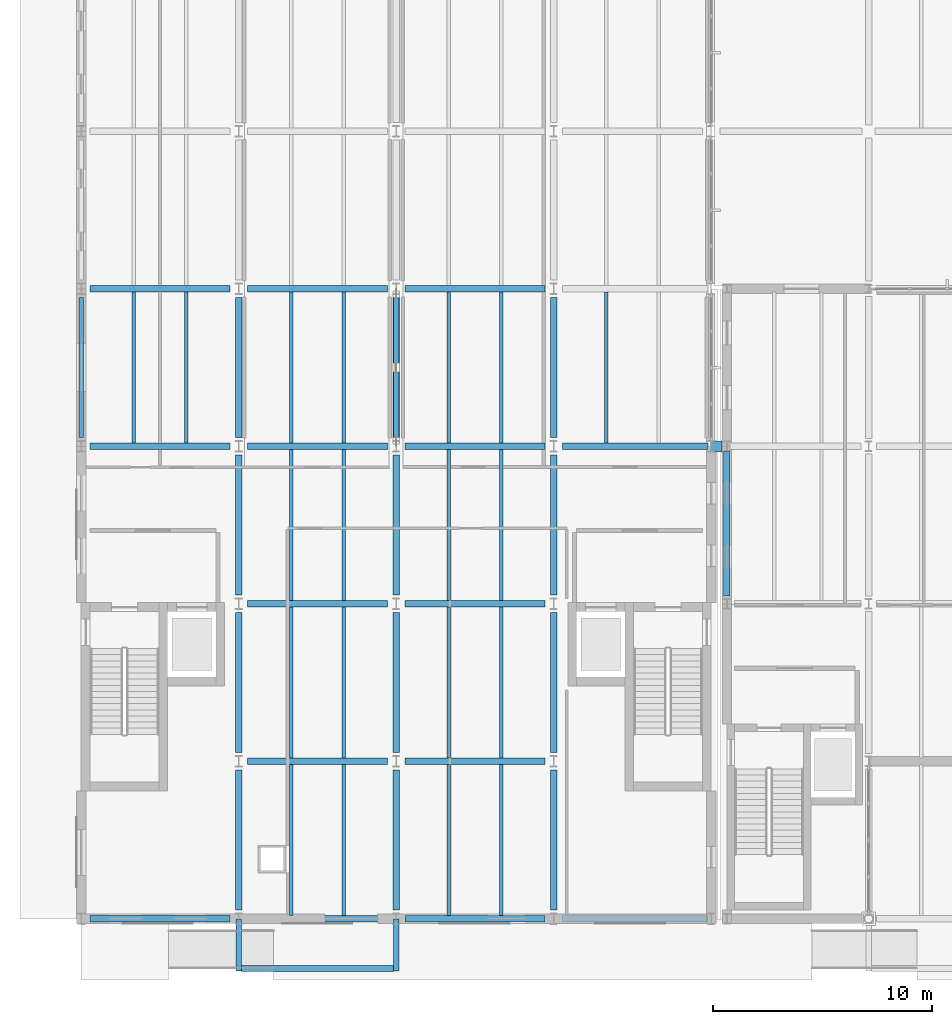
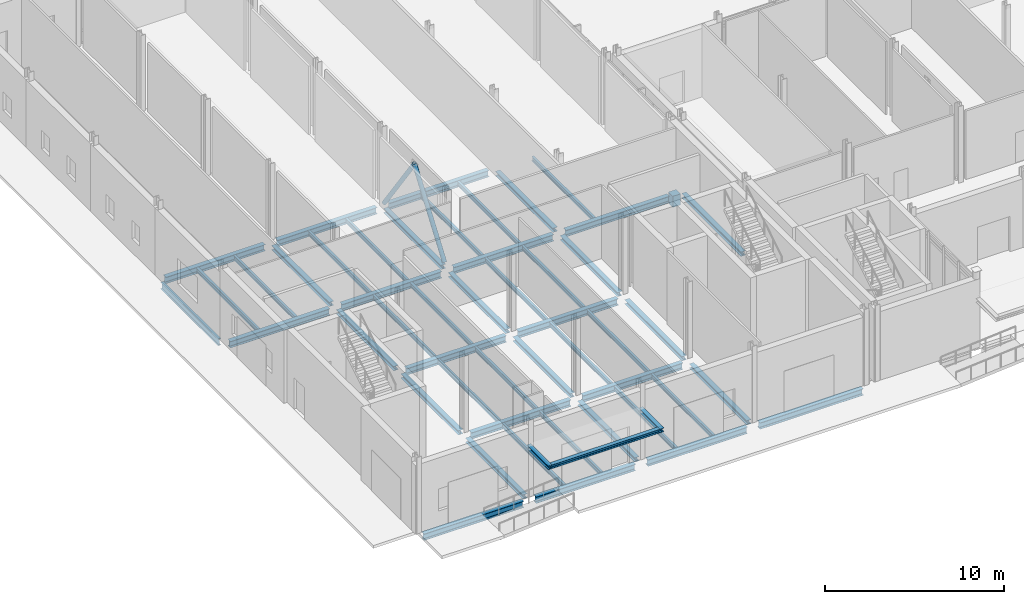
# One storey, part 12 of 89: 52 beams, 2 members.
"""IFC4 building model written with IfcOpenShell, lengths in metres."""

import ifcopenshell
import ifcopenshell.guid

model = None  # the IFC model being written
_history = None  # IfcOwnerHistory: only IFC2X3 demands one
_inside = {}  # id of a spatial element -> (the spatial element, [elements in it])
_under = {}  # id of a project, library or spatial element -> (it, [spatial elements below it])
_declared = {}  # id of a project -> (the project, [libraries it declares])
_typed = {}  # id of a type object -> (the type object, [elements of that type])
_made_of = {}  # id of a material, layer set ... -> (it, [elements and type objects made of it])


def new_model(schema):
    """Start an empty IFC model of exactly this schema.

    Asked for "IFC4X3", IfcOpenShell would pick the latest addendum, in which some entities
    have other attributes; the version numbers below select the first issue.
    IFC2X3 requires an IfcOwnerHistory on every rooted entity: one is made here for all.
    """
    global model, _history
    if schema == "IFC4X3":
        model = ifcopenshell.file(schema_version=(4, 3, 0, 0))
    else:
        model = ifcopenshell.file(schema=schema)
    _inside.clear()
    _under.clear()
    _declared.clear()
    _typed.clear()
    _made_of.clear()
    _history = None
    if model.schema == "IFC2X3":
        org = make("IfcOrganization", Name="unknown")
        user = make(
            "IfcPersonAndOrganization",
            ThePerson=make("IfcPerson", FamilyName="unknown"),
            TheOrganization=org,
        )
        app = make(
            "IfcApplication",
            ApplicationDeveloper=org,
            Version="unknown",
            ApplicationFullName="unknown",
            ApplicationIdentifier="unknown",
        )
        _history = make(
            "IfcOwnerHistory",
            OwningUser=user,
            OwningApplication=app,
            ChangeAction="ADDED",
            CreationDate=0,
        )
    return model


def make(cls, **values):
    """One entity of the class cls with the attributes given. An attribute that is None is left unset."""
    return model.create_entity(
        cls, **{name: value for name, value in values.items() if value is not None}
    )


def rooted(cls, **values):
    """An entity with a GlobalId (a new one), such as an element, a storey or a relation."""
    return make(cls, GlobalId=ifcopenshell.guid.new(), OwnerHistory=_history, **values)


def si_unit(unit_type, name, prefix=None):
    """IfcSIUnit, for example si_unit("LENGTHUNIT", "METRE", prefix="MILLI")."""
    return make("IfcSIUnit", UnitType=unit_type, Prefix=prefix, Name=name)


def assignment(units):
    """IfcUnitAssignment: the units of a project."""
    return None if units is None else make("IfcUnitAssignment", Units=units)


def point(xyz):
    """IfcCartesianPoint."""
    return None if xyz is None else make("IfcCartesianPoint", Coordinates=xyz)


def direction(xyz):
    """IfcDirection."""
    return None if xyz is None else make("IfcDirection", DirectionRatios=xyz)


def frame(location, z_axis=None, x_axis=None):
    """IfcAxis2Placement3D, a coordinate frame: its origin and axes. An axis left out is left unset."""
    return make(
        "IfcAxis2Placement3D",
        Location=point(location),
        Axis=direction(z_axis),
        RefDirection=direction(x_axis),
    )


def frame_2d(location, x_axis=None):
    """IfcAxis2Placement2D, a coordinate frame in the plane: its origin and x axis."""
    return make(
        "IfcAxis2Placement2D", Location=point(location), RefDirection=direction(x_axis)
    )


def origin():
    """The frame at (0, 0, 0) with its axes left unset."""
    return frame((0.0, 0.0, 0.0))


def origin_2d():
    """The frame at (0, 0) in the plane with its x axis left unset."""
    return frame_2d((0.0, 0.0))


def place(relative_to, where):
    """IfcLocalPlacement: puts the frame where relative to a parent placement (None: the world)."""
    return make(
        "IfcLocalPlacement", PlacementRelTo=relative_to, RelativePlacement=where
    )


def context(
    kind, dimensions, precision=None, world=None, true_north=None, identifier=None
):
    """IfcGeometricRepresentationContext, for example the 3D "Model" context."""
    return make(
        "IfcGeometricRepresentationContext",
        ContextIdentifier=identifier,
        ContextType=kind,
        CoordinateSpaceDimension=dimensions,
        Precision=precision,
        WorldCoordinateSystem=world,
        TrueNorth=true_north,
    )


def subcontext(parent, identifier, kind, view, scale=None):
    """IfcGeometricRepresentationSubContext, for example "Body" below "Model"."""
    return make(
        "IfcGeometricRepresentationSubContext",
        ContextIdentifier=identifier,
        ContextType=kind,
        ParentContext=parent,
        TargetScale=scale,
        TargetView=view,
    )


def project(units=None, contexts=None):
    """IfcProject with its units and contexts."""
    return rooted(
        "IfcProject",
        Name="project",
        RepresentationContexts=contexts,
        UnitsInContext=assignment(units),
    )


def spatial(cls, under=None, at=None, **own):
    """A site, building, storey or space (cls), placed at a placement, below another one or the project."""
    s = rooted(cls, ObjectPlacement=at, **own)
    if under is not None:
        _under.setdefault(under.id(), (under, []))[1].append(s)
    return s


def profile(cls, at=None, kind="AREA", **sizes):
    """A parametric profile (cls). Its sizes go by their IFC names, for example OverallWidth=200.0."""
    return make(cls, ProfileType=kind, Position=at, **sizes)


def rectangle(**sizes):
    """IfcRectangleProfileDef."""
    return profile("IfcRectangleProfileDef", **sizes)


def hollow_circle(**sizes):
    """IfcCircleHollowProfileDef."""
    return profile("IfcCircleHollowProfileDef", **sizes)


def i_section(**sizes):
    """IfcIShapeProfileDef."""
    return profile("IfcIShapeProfileDef", **sizes)


def extrude(swept, where, along, depth):
    """IfcExtrudedAreaSolid: the profile swept, set in the frame where, extruded along a direction by depth."""
    return make(
        "IfcExtrudedAreaSolid",
        SweptArea=swept,
        Position=where,
        ExtrudedDirection=direction(along),
        Depth=depth,
    )


def shape(context_of_items, identifier, shape_type, items):
    """IfcShapeRepresentation: the items that make up one representation, for example the "Body"."""
    return make(
        "IfcShapeRepresentation",
        ContextOfItems=context_of_items,
        RepresentationIdentifier=identifier,
        RepresentationType=shape_type,
        Items=items,
    )


def material(Name=None, Category=None):
    """IfcMaterial."""
    return make("IfcMaterial", Name=Name, Category=Category)


def material_profile(
    of_material, cross_section, Name=None, Category=None, Priority=None
):
    """IfcMaterialProfile: a cross section and its material."""
    return make(
        "IfcMaterialProfile",
        Name=Name,
        Material=of_material,
        Profile=cross_section,
        Priority=Priority,
        Category=Category,
    )


def profile_set(profiles, Name=None, composite=None):
    """IfcMaterialProfileSet."""
    return make(
        "IfcMaterialProfileSet",
        Name=Name,
        MaterialProfiles=profiles,
        CompositeProfile=composite,
    )


def made_of(thing, what):
    """Note that an element or type object is made of a material, layer set ...; save() writes the relation."""
    if what is not None:
        _made_of.setdefault(what.id(), (what, []))[1].append(thing)
    return thing


def type_object(cls, material=None, **own):
    """A type object (cls), such as IfcWallType, which elements share."""
    return made_of(rooted(cls, **own), material)


def element(
    cls,
    number,
    at=None,
    inside=None,
    cuts=None,
    type_object=None,
    material=None,
    context=None,
    identifier="Body",
    shape_type=None,
    held_by="IfcProductDefinitionShape",
    body=None,
    shapes=None,
    **own,
):
    """One element of the class cls, such as IfcWall. Its Tag is "e" and its number.

    at: its placement. inside: the storey or other place that contains it. cuts: it is an
    opening in that element (IfcRelVoidsElement). A single representation is given by context,
    identifier, shape_type and body (its items); several are given by shapes. held_by: the class
    of the entity that holds the representations. save() writes the other relations.
    """
    e = rooted(cls, Tag="e%d" % number, ObjectPlacement=at, **own)
    if body is not None:
        shapes = [shape(context, identifier, shape_type, body)]
    if shapes is not None:
        e.Representation = make(held_by, Representations=shapes)
    if inside is not None:
        _inside.setdefault(inside.id(), (inside, []))[1].append(e)
    if cuts is not None:
        rooted(
            "IfcRelVoidsElement", RelatingBuildingElement=cuts, RelatedOpeningElement=e
        )
    if type_object is not None:
        _typed.setdefault(type_object.id(), (type_object, []))[1].append(e)
    return made_of(e, material)


def aggregate(whole, parts):
    """IfcRelAggregates: a whole, such as a stair, and the parts it consists of."""
    return rooted("IfcRelAggregates", RelatingObject=whole, RelatedObjects=parts)


def save(model, path):
    """Write the relations noted so far, then the file.

    IfcRelAggregates (storeys below a building ...), IfcRelContainedInSpatialStructure (elements
    in a storey), IfcRelDefinesByType, IfcRelAssociatesMaterial and IfcRelDeclares: one each for
    every whole, place, type object, material and project.
    """
    for whole, parts in _under.values():
        aggregate(whole, parts)
    for where, things in _inside.values():
        rooted(
            "IfcRelContainedInSpatialStructure",
            RelatedElements=things,
            RelatingStructure=where,
        )
    for kind, things in _typed.values():
        rooted("IfcRelDefinesByType", RelatedObjects=things, RelatingType=kind)
    for what, things in _made_of.values():
        rooted("IfcRelAssociatesMaterial", RelatedObjects=things, RelatingMaterial=what)
    for by, libraries in _declared.values():
        rooted("IfcRelDeclares", RelatingContext=by, RelatedDefinitions=libraries)
    model.write(path)


model = new_model("IFC4")

# Units and contexts
model_context = context("Model", 3, precision=1e-05, world=origin(), true_north=direction((0.0, 1.0)))
body_context = subcontext(model_context, "Body", "Model", "MODEL_VIEW")
ifc_project = project(units=[si_unit("LENGTHUNIT", "METRE"), si_unit("AREAUNIT", "SQUARE_METRE"), si_unit("VOLUMEUNIT", "CUBIC_METRE"), si_unit("PLANEANGLEUNIT", "RADIAN"), si_unit("MASSUNIT", "GRAM", prefix="KILO")], contexts=[model_context])

# Site, building, storey
site_placement = place(None, origin())
site = spatial("IfcSite", under=ifc_project, at=site_placement, CompositionType="ELEMENT")
building_placement = place(site_placement, origin())
building = spatial("IfcBuilding", under=site, at=building_placement, Name="Zarrinpeak Specialist Clinic", CompositionType="ELEMENT")
storey_placement = place(building_placement, origin())
storey = spatial("IfcBuildingStorey", under=building, at=storey_placement, Name="L00", CompositionType="ELEMENT", Elevation=0.0)

# Beams
ifc_material_1 = material(Name="Steel S355", Category="steel")
ifc_material_profile_1 = material_profile(ifc_material_1, i_section(OverallWidth=0.260009765625, OverallDepth=0.25, WebThickness=0.007568359375, FlangeThickness=0.012451171875, FilletRadius=0.02392578125, at=origin_2d()), Name="HEA 260")
ifc_profile_set_1 = profile_set([ifc_material_profile_1], Name="Steel S355")
beam_type_1 = type_object("IfcBeamType", Name="BM-HEA260", PredefinedType="BEAM", material=ifc_profile_set_1)
for number, where, z_axis, x_axis, name in (
    (1, (7.199951171875, 0.0, 3.27490234375), (0.0, -1.0, 0.0), (1.0, 0.0, 0.0), "V1 South Main Entrance Canopy Cantilever Bracket Beam 01"),
    (2, (14.39990234375, 0.0, 3.27490234375), (0.0, -1.0, 0.0), (1.0, 0.0, 0.0), "V1 South Main Entrance Canopy Cantilever Bracket Beam 02"),
):
    element("IfcBeam", number, at=place(storey_placement, frame(where, z_axis=z_axis, x_axis=x_axis)), inside=storey, type_object=beam_type_1, Name=name, PredefinedType="BEAM", context=body_context, shape_type="SweptSolid", body=[
        extrude(i_section(OverallWidth=0.260009765625, OverallDepth=0.25, WebThickness=0.007568359375, FlangeThickness=0.012451171875, FilletRadius=0.02392578125, at=origin_2d()), origin(), (0.0, 0.0, 1.0), 2.39990234375),
    ])
beam_1_placement = place(storey_placement, frame((7.330078125, -2.27001953125, 3.27490234375), z_axis=(1.0, 0.0, 0.0), x_axis=(0.0, 1.0, 0.0)))
element("IfcBeam", 3, at=beam_1_placement, inside=storey, type_object=beam_type_1, Name="V1 South Main Entrance Canopy Front Edge Tie Beam 03", PredefinedType="BEAM", context=body_context, shape_type="SweptSolid", body=[
    extrude(i_section(OverallWidth=0.260009765625, OverallDepth=0.25, WebThickness=0.007568359375, FlangeThickness=0.012451171875, FilletRadius=0.02392578125, at=origin_2d()), origin(), (0.0, 0.0, 1.0), 6.93994140625),
])
ifc_material_profile_2 = material_profile(ifc_material_1, i_section(OverallWidth=0.300048828125, OverallDepth=0.2900390625, WebThickness=0.008544921875, FlangeThickness=0.013916015625, FilletRadius=0.027099609375, at=origin_2d()), Name="HEA 300")
ifc_profile_set_2 = profile_set([ifc_material_profile_2], Name="Steel S355")
beam_type_2 = type_object("IfcBeamType", Name="BM-HEA300", PredefinedType="BEAM", material=ifc_profile_set_2)
for number, where, z_axis, x_axis, name in (
    (4, (7.199951171875, 0.39794921875, -0.39501953125), (0.0, 1.0, 0.0), (-1.0, 0.0, 0.0), "L00 Primary Beam BM-L00-Y0218"),
    (5, (7.199951171875, 7.597900390625, -0.39501953125), (0.0, 1.0, 0.0), (-1.0, 0.0, 0.0), "L00 Primary Beam BM-L00-Y0219"),
):
    element("IfcBeam", number, at=place(storey_placement, frame(where, z_axis=z_axis, x_axis=x_axis)), inside=storey, type_object=beam_type_2, Name=name, PredefinedType="BEAM", context=body_context, shape_type="SweptSolid", body=[
        extrude(i_section(OverallWidth=0.300048828125, OverallDepth=0.2900390625, WebThickness=0.008544921875, FlangeThickness=0.013916015625, FilletRadius=0.027099609375, at=origin_2d()), origin(), (0.0, 0.0, 1.0), 6.404052734375),
    ])
beam_2_placement = place(storey_placement, frame((7.199951171875, 14.798095703125, -0.39501953125), z_axis=(0.0, 1.0, 0.0), x_axis=(-1.0, 0.0, 0.0)))
element("IfcBeam", 6, at=beam_2_placement, inside=storey, type_object=beam_type_2, Name="L00 Primary Beam BM-L00-Y0220", PredefinedType="BEAM", context=body_context, shape_type="SweptSolid", body=[
    extrude(i_section(OverallWidth=0.300048828125, OverallDepth=0.2900390625, WebThickness=0.008544921875, FlangeThickness=0.013916015625, FilletRadius=0.027099609375, at=origin_2d()), origin(), (0.0, 0.0, 1.0), 6.40380859375),
])
for number, where, z_axis, x_axis, name in (
    (7, (7.199951171875, 21.998046875, -0.39501953125), (0.0, 1.0, 0.0), (-1.0, 0.0, 0.0), "L00 Primary Beam BM-L00-Y0221"),
    (8, (14.39990234375, 0.39794921875, -0.39501953125), (0.0, 1.0, 0.0), (-1.0, 0.0, 0.0), "L00 Primary Beam BM-L00-Y0230"),
    (9, (14.39990234375, 7.597900390625, -0.39501953125), (0.0, 1.0, 0.0), (-1.0, 0.0, 0.0), "L00 Primary Beam BM-L00-Y0231"),
):
    element("IfcBeam", number, at=place(storey_placement, frame(where, z_axis=z_axis, x_axis=x_axis)), inside=storey, type_object=beam_type_2, Name=name, PredefinedType="BEAM", context=body_context, shape_type="SweptSolid", body=[
        extrude(i_section(OverallWidth=0.300048828125, OverallDepth=0.2900390625, WebThickness=0.008544921875, FlangeThickness=0.013916015625, FilletRadius=0.027099609375, at=origin_2d()), origin(), (0.0, 0.0, 1.0), 6.404052734375),
    ])
beam_3_placement = place(storey_placement, frame((14.39990234375, 14.798095703125, -0.39501953125), z_axis=(0.0, 1.0, 0.0), x_axis=(-1.0, 0.0, 0.0)))
element("IfcBeam", 10, at=beam_3_placement, inside=storey, type_object=beam_type_2, Name="L00 Primary Beam BM-L00-Y0232", PredefinedType="BEAM", context=body_context, shape_type="SweptSolid", body=[
    extrude(i_section(OverallWidth=0.300048828125, OverallDepth=0.2900390625, WebThickness=0.008544921875, FlangeThickness=0.013916015625, FilletRadius=0.027099609375, at=origin_2d()), origin(), (0.0, 0.0, 1.0), 6.40380859375),
])
for number, where, z_axis, x_axis, name in (
    (11, (14.39990234375, 21.998046875, -0.39501953125), (0.0, 1.0, 0.0), (-1.0, 0.0, 0.0), "L00 Primary Beam BM-L00-Y0233"),
    (12, (21.60009765625, 0.39794921875, -0.39501953125), (0.0, 1.0, 0.0), (-1.0, 0.0, 0.0), "L00 Primary Beam BM-L00-Y0242"),
    (13, (21.60009765625, 7.597900390625, -0.39501953125), (0.0, 1.0, 0.0), (-1.0, 0.0, 0.0), "L00 Primary Beam BM-L00-Y0243"),
):
    element("IfcBeam", number, at=place(storey_placement, frame(where, z_axis=z_axis, x_axis=x_axis)), inside=storey, type_object=beam_type_2, Name=name, PredefinedType="BEAM", context=body_context, shape_type="SweptSolid", body=[
        extrude(i_section(OverallWidth=0.300048828125, OverallDepth=0.2900390625, WebThickness=0.008544921875, FlangeThickness=0.013916015625, FilletRadius=0.027099609375, at=origin_2d()), origin(), (0.0, 0.0, 1.0), 6.404052734375),
    ])
beam_4_placement = place(storey_placement, frame((21.60009765625, 14.798095703125, -0.39501953125), z_axis=(0.0, 1.0, 0.0), x_axis=(-1.0, 0.0, 0.0)))
element("IfcBeam", 14, at=beam_4_placement, inside=storey, type_object=beam_type_2, Name="L00 Primary Beam BM-L00-Y0244", PredefinedType="BEAM", context=body_context, shape_type="SweptSolid", body=[
    extrude(i_section(OverallWidth=0.300048828125, OverallDepth=0.2900390625, WebThickness=0.008544921875, FlangeThickness=0.013916015625, FilletRadius=0.027099609375, at=origin_2d()), origin(), (0.0, 0.0, 1.0), 6.40380859375),
])
beam_5_placement = place(storey_placement, frame((21.60009765625, 21.998046875, -0.39501953125), z_axis=(0.0, 1.0, 0.0), x_axis=(-1.0, 0.0, 0.0)))
element("IfcBeam", 15, at=beam_5_placement, inside=storey, type_object=beam_type_2, Name="L00 Primary Beam BM-L00-Y0245", PredefinedType="BEAM", context=body_context, shape_type="SweptSolid", body=[
    extrude(i_section(OverallWidth=0.300048828125, OverallDepth=0.2900390625, WebThickness=0.008544921875, FlangeThickness=0.013916015625, FilletRadius=0.027099609375, at=origin_2d()), origin(), (0.0, 0.0, 1.0), 6.404052734375),
])
beam_6_placement = place(storey_placement, frame((29.52001953125, 14.748046875, -0.39501953125), z_axis=(0.0, 1.0, 0.0), x_axis=(-1.0, 0.0, 0.0)))
element("IfcBeam", 16, at=beam_6_placement, inside=storey, type_object=beam_type_2, Name="L00 Primary Beam BM-L00-Y0261", PredefinedType="BEAM", context=body_context, shape_type="SweptSolid", body=[
    extrude(i_section(OverallWidth=0.300048828125, OverallDepth=0.2900390625, WebThickness=0.008544921875, FlangeThickness=0.013916015625, FilletRadius=0.027099609375, at=origin_2d()), origin(), (0.0, 0.0, 1.0), 6.60400390625),
])
ifc_material_profile_3 = material_profile(ifc_material_1, i_section(OverallWidth=0.300048828125, OverallDepth=0.43994140625, WebThickness=0.011474609375, FlangeThickness=0.02099609375, FilletRadius=0.027099609375, at=origin_2d()), Name="HEA 450")
ifc_profile_set_3 = profile_set([ifc_material_profile_3], Name="Steel S355")
beam_type_3 = type_object("IfcBeamType", Name="BM-HEA450", PredefinedType="BEAM", material=ifc_profile_set_3)
for number, where, z_axis, x_axis, name in (
    (17, (0.39794921875, 0.0, -0.469970703125), (1.0, 0.0, 0.0), (0.0, 1.0, 0.0), "L00 Primary Floor Girder BM-L00-X0001"),
    (18, (7.597900390625, 0.0, -0.469970703125), (1.0, 0.0, 0.0), (0.0, 1.0, 0.0), "L00 Primary Floor Girder BM-L00-X0002"),
):
    element("IfcBeam", number, at=place(storey_placement, frame(where, z_axis=z_axis, x_axis=x_axis)), inside=storey, type_object=beam_type_3, Name=name, PredefinedType="BEAM", context=body_context, shape_type="SweptSolid", body=[
        extrude(i_section(OverallWidth=0.300048828125, OverallDepth=0.43994140625, WebThickness=0.011474609375, FlangeThickness=0.02099609375, FilletRadius=0.027099609375, at=origin_2d()), origin(), (0.0, 0.0, 1.0), 6.404052734375),
    ])
beam_7_placement = place(storey_placement, frame((14.798095703125, 0.0, -0.469970703125), z_axis=(1.0, 0.0, 0.0), x_axis=(0.0, 1.0, 0.0)))
element("IfcBeam", 19, at=beam_7_placement, inside=storey, type_object=beam_type_3, Name="L00 Primary Floor Girder BM-L00-X0003", PredefinedType="BEAM", context=body_context, shape_type="SweptSolid", body=[
    extrude(i_section(OverallWidth=0.300048828125, OverallDepth=0.43994140625, WebThickness=0.011474609375, FlangeThickness=0.02099609375, FilletRadius=0.027099609375, at=origin_2d()), origin(), (0.0, 0.0, 1.0), 6.40380859375),
])
beam_8_placement = place(storey_placement, frame((21.998046875, 0.0, -0.469970703125), z_axis=(1.0, 0.0, 0.0), x_axis=(0.0, 1.0, 0.0)))
element("IfcBeam", 20, at=beam_8_placement, inside=storey, type_object=beam_type_3, Name="L00 Primary Floor Girder BM-L00-X0004", PredefinedType="BEAM", context=body_context, shape_type="SweptSolid", body=[
    extrude(i_section(OverallWidth=0.300048828125, OverallDepth=0.43994140625, WebThickness=0.011474609375, FlangeThickness=0.02099609375, FilletRadius=0.027099609375, at=origin_2d()), origin(), (0.0, 0.0, 1.0), 6.654052734375),
])
beam_9_placement = place(storey_placement, frame((7.597900390625, 7.199951171875, -0.469970703125), z_axis=(1.0, 0.0, 0.0), x_axis=(0.0, 1.0, 0.0)))
element("IfcBeam", 21, at=beam_9_placement, inside=storey, type_object=beam_type_3, Name="L00 Primary Floor Girder BM-L00-X0013", PredefinedType="BEAM", context=body_context, shape_type="SweptSolid", body=[
    extrude(i_section(OverallWidth=0.300048828125, OverallDepth=0.43994140625, WebThickness=0.011474609375, FlangeThickness=0.02099609375, FilletRadius=0.027099609375, at=origin_2d()), origin(), (0.0, 0.0, 1.0), 6.404052734375),
])
beam_10_placement = place(storey_placement, frame((14.798095703125, 7.199951171875, -0.469970703125), z_axis=(1.0, 0.0, 0.0), x_axis=(0.0, 1.0, 0.0)))
element("IfcBeam", 22, at=beam_10_placement, inside=storey, type_object=beam_type_3, Name="L00 Primary Floor Girder BM-L00-X0014", PredefinedType="BEAM", context=body_context, shape_type="SweptSolid", body=[
    extrude(i_section(OverallWidth=0.300048828125, OverallDepth=0.43994140625, WebThickness=0.011474609375, FlangeThickness=0.02099609375, FilletRadius=0.027099609375, at=origin_2d()), origin(), (0.0, 0.0, 1.0), 6.40380859375),
])
beam_11_placement = place(storey_placement, frame((7.597900390625, 14.39990234375, -0.469970703125), z_axis=(1.0, 0.0, 0.0), x_axis=(0.0, 1.0, 0.0)))
element("IfcBeam", 23, at=beam_11_placement, inside=storey, type_object=beam_type_3, Name="L00 Primary Floor Girder BM-L00-X0018", PredefinedType="BEAM", context=body_context, shape_type="SweptSolid", body=[
    extrude(i_section(OverallWidth=0.300048828125, OverallDepth=0.43994140625, WebThickness=0.011474609375, FlangeThickness=0.02099609375, FilletRadius=0.027099609375, at=origin_2d()), origin(), (0.0, 0.0, 1.0), 6.404052734375),
])
beam_12_placement = place(storey_placement, frame((14.798095703125, 14.39990234375, -0.469970703125), z_axis=(1.0, 0.0, 0.0), x_axis=(0.0, 1.0, 0.0)))
element("IfcBeam", 24, at=beam_12_placement, inside=storey, type_object=beam_type_3, Name="L00 Primary Floor Girder BM-L00-X0019", PredefinedType="BEAM", context=body_context, shape_type="SweptSolid", body=[
    extrude(i_section(OverallWidth=0.300048828125, OverallDepth=0.43994140625, WebThickness=0.011474609375, FlangeThickness=0.02099609375, FilletRadius=0.027099609375, at=origin_2d()), origin(), (0.0, 0.0, 1.0), 6.40380859375),
])
for number, where, z_axis, x_axis, name in (
    (25, (0.39794921875, 21.60009765625, -0.469970703125), (1.0, 0.0, 0.0), (0.0, 1.0, 0.0), "L00 Primary Floor Girder BM-L00-X0028"),
    (26, (7.597900390625, 21.60009765625, -0.469970703125), (1.0, 0.0, 0.0), (0.0, 1.0, 0.0), "L00 Primary Floor Girder BM-L00-X0029"),
):
    element("IfcBeam", number, at=place(storey_placement, frame(where, z_axis=z_axis, x_axis=x_axis)), inside=storey, type_object=beam_type_3, Name=name, PredefinedType="BEAM", context=body_context, shape_type="SweptSolid", body=[
        extrude(i_section(OverallWidth=0.300048828125, OverallDepth=0.43994140625, WebThickness=0.011474609375, FlangeThickness=0.02099609375, FilletRadius=0.027099609375, at=origin_2d()), origin(), (0.0, 0.0, 1.0), 6.404052734375),
    ])
beam_13_placement = place(storey_placement, frame((14.798095703125, 21.60009765625, -0.469970703125), z_axis=(1.0, 0.0, 0.0), x_axis=(0.0, 1.0, 0.0)))
element("IfcBeam", 27, at=beam_13_placement, inside=storey, type_object=beam_type_3, Name="L00 Primary Floor Girder BM-L00-X0030", PredefinedType="BEAM", context=body_context, shape_type="SweptSolid", body=[
    extrude(i_section(OverallWidth=0.300048828125, OverallDepth=0.43994140625, WebThickness=0.011474609375, FlangeThickness=0.02099609375, FilletRadius=0.027099609375, at=origin_2d()), origin(), (0.0, 0.0, 1.0), 6.40380859375),
])
beam_14_placement = place(storey_placement, frame((21.998046875, 21.60009765625, -0.469970703125), z_axis=(1.0, 0.0, 0.0), x_axis=(0.0, 1.0, 0.0)))
element("IfcBeam", 28, at=beam_14_placement, inside=storey, type_object=beam_type_3, Name="L00 Primary Floor Girder BM-L00-X0031", PredefinedType="BEAM", context=body_context, shape_type="SweptSolid", body=[
    extrude(i_section(OverallWidth=0.300048828125, OverallDepth=0.43994140625, WebThickness=0.011474609375, FlangeThickness=0.02099609375, FilletRadius=0.027099609375, at=origin_2d()), origin(), (0.0, 0.0, 1.0), 6.654052734375),
])
for number, where, z_axis, x_axis, name in (
    (29, (0.39794921875, 28.800048828125, -0.469970703125), (1.0, 0.0, 0.0), (0.0, 1.0, 0.0), "L00 Primary Floor Girder BM-L00-X0040"),
    (30, (7.597900390625, 28.800048828125, -0.469970703125), (1.0, 0.0, 0.0), (0.0, 1.0, 0.0), "L00 Primary Floor Girder BM-L00-X0041"),
):
    element("IfcBeam", number, at=place(storey_placement, frame(where, z_axis=z_axis, x_axis=x_axis)), inside=storey, type_object=beam_type_3, Name=name, PredefinedType="BEAM", context=body_context, shape_type="SweptSolid", body=[
        extrude(i_section(OverallWidth=0.300048828125, OverallDepth=0.43994140625, WebThickness=0.011474609375, FlangeThickness=0.02099609375, FilletRadius=0.027099609375, at=origin_2d()), origin(), (0.0, 0.0, 1.0), 6.404052734375),
    ])
beam_15_placement = place(storey_placement, frame((14.798095703125, 28.800048828125, -0.469970703125), z_axis=(1.0, 0.0, 0.0), x_axis=(0.0, 1.0, 0.0)))
element("IfcBeam", 31, at=beam_15_placement, inside=storey, type_object=beam_type_3, Name="L00 Primary Floor Girder BM-L00-X0042", PredefinedType="BEAM", context=body_context, shape_type="SweptSolid", body=[
    extrude(i_section(OverallWidth=0.300048828125, OverallDepth=0.43994140625, WebThickness=0.011474609375, FlangeThickness=0.02099609375, FilletRadius=0.027099609375, at=origin_2d()), origin(), (0.0, 0.0, 1.0), 6.40380859375),
])
ifc_material_profile_4 = material_profile(ifc_material_1, i_section(OverallWidth=0.14990234375, OverallDepth=0.300048828125, WebThickness=0.007080078125, FlangeThickness=0.0107421875, FilletRadius=0.014892578125, at=origin_2d()), Name="IPE 300")
ifc_profile_set_4 = profile_set([ifc_material_profile_4], Name="Steel S355")
beam_type_4 = type_object("IfcBeamType", Name="BM-JST300", PredefinedType="JOIST", material=ifc_profile_set_4)
for number, where, z_axis, x_axis, name in (
    (32, (2.39990234375, 21.748046875, -0.39990234375), (0.0, 1.0, 0.0), (-1.0, 0.0, 0.0), "L00 Composite Floor Joist JST-L00-0413"),
    (33, (4.800048828125, 21.748046875, -0.39990234375), (0.0, 1.0, 0.0), (-1.0, 0.0, 0.0), "L00 Composite Floor Joist JST-L00-0414"),
    (34, (9.60009765625, 0.14794921875, -0.39990234375), (0.0, 1.0, 0.0), (-1.0, 0.0, 0.0), "L00 Composite Floor Joist JST-L00-0421"),
    (35, (12.0, 0.14794921875, -0.39990234375), (0.0, 1.0, 0.0), (-1.0, 0.0, 0.0), "L00 Composite Floor Joist JST-L00-0422"),
    (36, (9.60009765625, 7.347900390625, -0.39990234375), (0.0, 1.0, 0.0), (-1.0, 0.0, 0.0), "L00 Composite Floor Joist JST-L00-0423"),
    (37, (12.0, 7.347900390625, -0.39990234375), (0.0, 1.0, 0.0), (-1.0, 0.0, 0.0), "L00 Composite Floor Joist JST-L00-0424"),
):
    element("IfcBeam", number, at=place(storey_placement, frame(where, z_axis=z_axis, x_axis=x_axis)), inside=storey, type_object=beam_type_4, Name=name, PredefinedType="JOIST", context=body_context, shape_type="SweptSolid", body=[
        extrude(i_section(OverallWidth=0.14990234375, OverallDepth=0.300048828125, WebThickness=0.007080078125, FlangeThickness=0.0107421875, FilletRadius=0.014892578125, at=origin_2d()), origin(), (0.0, 0.0, 1.0), 6.904052734375),
    ])
for number, where, z_axis, x_axis, name in (
    (38, (9.60009765625, 14.548095703125, -0.39990234375), (0.0, 1.0, 0.0), (-1.0, 0.0, 0.0), "L00 Composite Floor Joist JST-L00-0425"),
    (39, (12.0, 14.548095703125, -0.39990234375), (0.0, 1.0, 0.0), (-1.0, 0.0, 0.0), "L00 Composite Floor Joist JST-L00-0426"),
):
    element("IfcBeam", number, at=place(storey_placement, frame(where, z_axis=z_axis, x_axis=x_axis)), inside=storey, type_object=beam_type_4, Name=name, PredefinedType="JOIST", context=body_context, shape_type="SweptSolid", body=[
        extrude(i_section(OverallWidth=0.14990234375, OverallDepth=0.300048828125, WebThickness=0.007080078125, FlangeThickness=0.0107421875, FilletRadius=0.014892578125, at=origin_2d()), origin(), (0.0, 0.0, 1.0), 6.90380859375),
    ])
for number, where, z_axis, x_axis, name in (
    (40, (9.60009765625, 21.748046875, -0.39990234375), (0.0, 1.0, 0.0), (-1.0, 0.0, 0.0), "L00 Composite Floor Joist JST-L00-0427"),
    (41, (12.0, 21.748046875, -0.39990234375), (0.0, 1.0, 0.0), (-1.0, 0.0, 0.0), "L00 Composite Floor Joist JST-L00-0428"),
    (42, (16.800048828125, 0.14794921875, -0.39990234375), (0.0, 1.0, 0.0), (-1.0, 0.0, 0.0), "L00 Composite Floor Joist JST-L00-0435"),
    (43, (19.199951171875, 0.14794921875, -0.39990234375), (0.0, 1.0, 0.0), (-1.0, 0.0, 0.0), "L00 Composite Floor Joist JST-L00-0436"),
    (44, (16.800048828125, 7.347900390625, -0.39990234375), (0.0, 1.0, 0.0), (-1.0, 0.0, 0.0), "L00 Composite Floor Joist JST-L00-0437"),
    (45, (19.199951171875, 7.347900390625, -0.39990234375), (0.0, 1.0, 0.0), (-1.0, 0.0, 0.0), "L00 Composite Floor Joist JST-L00-0438"),
):
    element("IfcBeam", number, at=place(storey_placement, frame(where, z_axis=z_axis, x_axis=x_axis)), inside=storey, type_object=beam_type_4, Name=name, PredefinedType="JOIST", context=body_context, shape_type="SweptSolid", body=[
        extrude(i_section(OverallWidth=0.14990234375, OverallDepth=0.300048828125, WebThickness=0.007080078125, FlangeThickness=0.0107421875, FilletRadius=0.014892578125, at=origin_2d()), origin(), (0.0, 0.0, 1.0), 6.904052734375),
    ])
for number, where, z_axis, x_axis, name in (
    (46, (16.800048828125, 14.548095703125, -0.39990234375), (0.0, 1.0, 0.0), (-1.0, 0.0, 0.0), "L00 Composite Floor Joist JST-L00-0439"),
    (47, (19.199951171875, 14.548095703125, -0.39990234375), (0.0, 1.0, 0.0), (-1.0, 0.0, 0.0), "L00 Composite Floor Joist JST-L00-0440"),
):
    element("IfcBeam", number, at=place(storey_placement, frame(where, z_axis=z_axis, x_axis=x_axis)), inside=storey, type_object=beam_type_4, Name=name, PredefinedType="JOIST", context=body_context, shape_type="SweptSolid", body=[
        extrude(i_section(OverallWidth=0.14990234375, OverallDepth=0.300048828125, WebThickness=0.007080078125, FlangeThickness=0.0107421875, FilletRadius=0.014892578125, at=origin_2d()), origin(), (0.0, 0.0, 1.0), 6.90380859375),
    ])
for number, where, z_axis, x_axis, name in (
    (48, (16.800048828125, 21.748046875, -0.39990234375), (0.0, 1.0, 0.0), (-1.0, 0.0, 0.0), "L00 Composite Floor Joist JST-L00-0441"),
    (49, (19.199951171875, 21.748046875, -0.39990234375), (0.0, 1.0, 0.0), (-1.0, 0.0, 0.0), "L00 Composite Floor Joist JST-L00-0442"),
    (50, (24.0, 21.748046875, -0.39990234375), (0.0, 1.0, 0.0), (-1.0, 0.0, 0.0), "L00 Composite Floor Joist JST-L00-0449"),
):
    element("IfcBeam", number, at=place(storey_placement, frame(where, z_axis=z_axis, x_axis=x_axis)), inside=storey, type_object=beam_type_4, Name=name, PredefinedType="JOIST", context=body_context, shape_type="SweptSolid", body=[
        extrude(i_section(OverallWidth=0.14990234375, OverallDepth=0.300048828125, WebThickness=0.007080078125, FlangeThickness=0.0107421875, FilletRadius=0.014892578125, at=origin_2d()), origin(), (0.0, 0.0, 1.0), 6.904052734375),
    ])
ifc_material_2 = material(Name="Concrete C40/50", Category="concrete")
ifc_material_profile_5 = material_profile(ifc_material_2, rectangle(XDim=0.5, YDim=0.75, at=origin_2d()), Name="RC 500x750")
ifc_profile_set_5 = profile_set([ifc_material_profile_5], Name="Concrete C40/50")
beam_type_5 = type_object("IfcBeamType", Name="BM-RC500", PredefinedType="BEAM", material=ifc_profile_set_5)
beam_16_placement = place(storey_placement, frame((28.800048828125, 21.60009765625, -0.625), z_axis=(1.0, 0.0, 0.0), x_axis=(0.0, 1.0, 0.0)))
element("IfcBeam", 51, at=beam_16_placement, inside=storey, type_object=beam_type_5, Name="L00 500 mm Bridge Seat Corbel SJ-1", PredefinedType="BEAM", context=body_context, shape_type="SweptSolid", body=[
    extrude(rectangle(XDim=0.5, YDim=0.75, at=origin_2d()), origin(), (0.0, 0.0, 1.0), 0.5),
])
ifc_material_profile_6 = material_profile(ifc_material_1, i_section(OverallWidth=0.18994140625, OverallDepth=0.449951171875, WebThickness=0.009521484375, FlangeThickness=0.0146484375, FilletRadius=0.02099609375, at=origin_2d()), Name="IPE 450")
ifc_profile_set_6 = profile_set([ifc_material_profile_6], Name="Steel S355")
beam_type_6 = type_object("IfcBeamType", Name="BM-SP450", PredefinedType="SPANDREL", material=ifc_profile_set_6)
beam_17_placement = place(storey_placement, frame((0.0, 21.998046875, -0.47509765625), z_axis=(0.0, 1.0, 0.0), x_axis=(-1.0, 0.0, 0.0)))
element("IfcBeam", 52, at=beam_17_placement, inside=storey, type_object=beam_type_6, Name="L00 Perimeter Spandrel Beam BM-L00-Y0211", PredefinedType="SPANDREL", context=body_context, shape_type="SweptSolid", body=[
    extrude(i_section(OverallWidth=0.18994140625, OverallDepth=0.449951171875, WebThickness=0.009521484375, FlangeThickness=0.0146484375, FilletRadius=0.02099609375, at=origin_2d()), origin(), (0.0, 0.0, 1.0), 6.404052734375),
])

# Members
ifc_material_profile_7 = material_profile(ifc_material_1, hollow_circle(Radius=0.136474609375, WallThickness=0.012451171875, at=origin_2d()), Name="CHS 273.0x12.5")
ifc_profile_set_7 = profile_set([ifc_material_profile_7], Name="Steel S355")
member_type = type_object("IfcMemberType", Name="MB-BR273", PredefinedType="BRACE", material=ifc_profile_set_7)
member_1_placement = place(storey_placement, frame((14.39990234375, 21.85009765625, 0.0048828125), z_axis=(0.0, 0.582450228574, 0.81286636739), x_axis=(-1.0, 0.0, 0.0)))
element("IfcMember", 53, at=member_1_placement, inside=storey, type_object=member_type, Name="V1 L00 Seismic Concentric Brace CBF-001", PredefinedType="BRACE", context=body_context, shape_type="SweptSolid", body=[
    extrude(hollow_circle(Radius=0.136474609375, WallThickness=0.012451171875, at=origin_2d()), origin(), (0.0, 0.0, 1.0), 5.751220703125),
])
member_2_placement = place(storey_placement, frame((14.39990234375, 28.550048828125, 0.0048828125), z_axis=(0.0, -0.582478276145, 0.812846269487), x_axis=(1.0, 0.0, 0.0)))
element("IfcMember", 54, at=member_2_placement, inside=storey, type_object=member_type, Name="V1 L00 Seismic Concentric Brace CBF-002", PredefinedType="BRACE", context=body_context, shape_type="SweptSolid", body=[
    extrude(hollow_circle(Radius=0.136474609375, WallThickness=0.012451171875, at=origin_2d()), origin(), (0.0, 0.0, 1.0), 5.75146484375),
])

save(model, "model.ifc")
